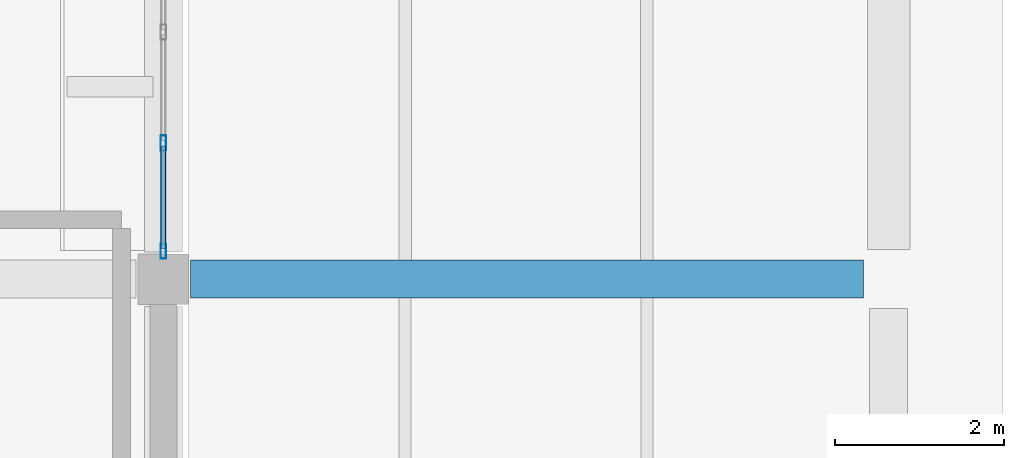
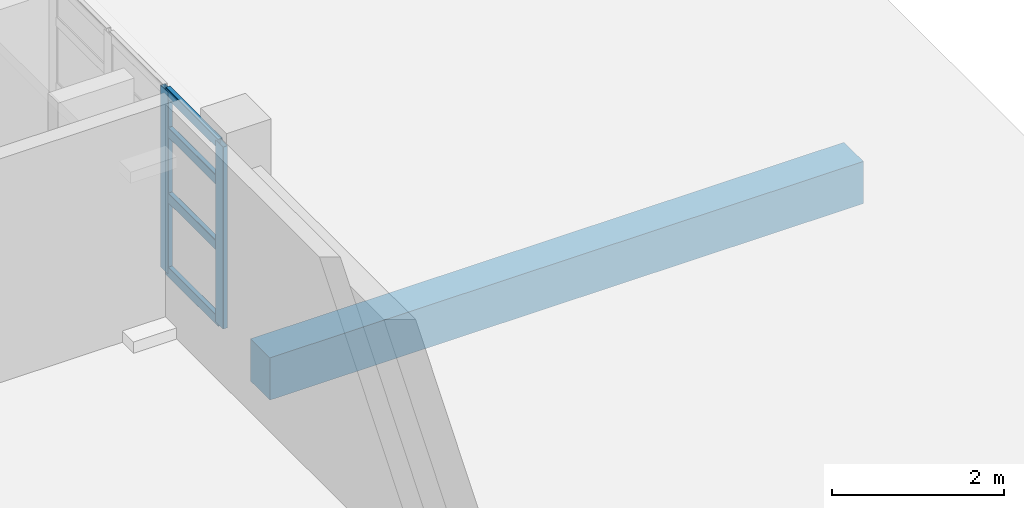
# One storey, part 11 of 55: 6 members, 1 beam, 1 element without a shape of its own.
"""IFC4 building model written with IfcOpenShell, lengths in metres."""

from ifc_helpers import new_model, si_unit, direction, frame, origin, origin_2d, place, context, subcontext, project, spatial, rectangle, hollow_rectangle, extrude, material, material_profile, profile_set, type_object, element, aggregate, save


model = new_model("IFC4")

# Units and contexts
model_context = context("Model", 3, precision=1e-05, world=origin(), true_north=direction((0.0, 1.0)))
body_context = subcontext(model_context, "Body", "Model", "MODEL_VIEW")
ifc_project = project(units=[si_unit("LENGTHUNIT", "METRE"), si_unit("AREAUNIT", "SQUARE_METRE"), si_unit("VOLUMEUNIT", "CUBIC_METRE"), si_unit("PLANEANGLEUNIT", "RADIAN"), si_unit("MASSUNIT", "GRAM", prefix="KILO")], contexts=[model_context])

# Site, building, storey
site_placement = place(None, origin())
site = spatial("IfcSite", under=ifc_project, at=site_placement, CompositionType="ELEMENT")
building_placement = place(site_placement, origin())
building = spatial("IfcBuilding", under=site, at=building_placement, Name="Varnakota Cinema and Media Centre", CompositionType="ELEMENT")
storey_placement = place(building_placement, frame((0.0, 0.0, 15.60009765625)))
storey = spatial("IfcBuildingStorey", under=building, at=storey_placement, Name="L04", CompositionType="ELEMENT", Elevation=15.60009765625)

# Beam
ifc_material_1 = material(Name="Concrete M35", Category="concrete")
ifc_material_profile_1 = material_profile(ifc_material_1, rectangle(XDim=0.449951171875, YDim=0.60009765625, at=origin_2d()), Name="RCB 450x600")
ifc_profile_set_1 = profile_set([ifc_material_profile_1], Name="Concrete M35")
beam_type = type_object("IfcBeamType", Name="BM-RC-450x600", PredefinedType="BEAM", material=ifc_profile_set_1)
beam_placement = place(storey_placement, frame((26.125, 44.0, -0.550048828125), z_axis=(1.0, 0.0, 0.0), x_axis=(0.0, 1.0, 0.0)))
element("IfcBeam", 1, at=beam_placement, inside=storey, type_object=beam_type, Name="L04 girder D-E/6", PredefinedType="BEAM", context=body_context, shape_type="SweptSolid", body=[
    extrude(rectangle(XDim=0.449951171875, YDim=0.60009765625, at=origin_2d()), origin(), (0.0, 0.0, 1.0), 7.97509765625),
])

# Curtain wall, members
ifc_material_2 = material(Name="Thermally broken anodised aluminium AW-6063", Category="aluminium")
curtain_wall_type = type_object("IfcCurtainWallType", Name="CW-STD-394x258", PredefinedType="USERDEFINED", material=ifc_material_2)
curtain_wall_placement = place(storey_placement, origin())
curtain_wall = element("IfcCurtainWall", 2, at=curtain_wall_placement, inside=storey, type_object=curtain_wall_type, Name="L04 curtain wall CW-L04-V5-E-02-1", ObjectType="UNITISED CURTAIN WALL", PredefinedType="USERDEFINED")
ifc_material_3 = material(Name="Thermally broken anodised aluminium AW-6063", Category="aluminium")
ifc_material_profile_2 = material_profile(ifc_material_3, hollow_rectangle(XDim=0.06494140625, YDim=0.179931640625, WallThickness=0.00390625, InnerFilletRadius=0.00390625, OuterFilletRadius=0.008056640625, at=origin_2d()), Name="AL-MULLION 180x65x4")
ifc_profile_set_2 = profile_set([ifc_material_profile_2], Name="Thermally broken anodised aluminium AW-6063")
member_type_1 = type_object("IfcMemberType", Name="CWM-AL-180", PredefinedType="MULLION", material=ifc_profile_set_2)
member_1_placement = place(storey_placement, frame((25.800048828125, 44.33251953125, 0.0), z_axis=(0.0, 0.0, 1.0), x_axis=(-1.0, 0.0, 0.0)))
member_1 = element("IfcMember", 3, at=member_1_placement, type_object=member_type_1, Name="CW30 mullion 1", PredefinedType="MULLION", context=body_context, shape_type="SweptSolid", body=[
    extrude(hollow_rectangle(XDim=0.06494140625, YDim=0.179931640625, WallThickness=0.00390625, InnerFilletRadius=0.00390625, OuterFilletRadius=0.008056640625, at=origin_2d()), origin(), (0.0, 0.0, 1.0), 2.5849609375),
])
member_2_placement = place(storey_placement, frame((25.800048828125, 45.6142578125, 0.0), z_axis=(0.0, 0.0, 1.0), x_axis=(-1.0, 0.0, 0.0)))
member_2 = element("IfcMember", 4, at=member_2_placement, type_object=member_type_1, Name="CW30 mullion 2", PredefinedType="MULLION", context=body_context, shape_type="SweptSolid", body=[
    extrude(hollow_rectangle(XDim=0.06494140625, YDim=0.179931640625, WallThickness=0.00390625, InnerFilletRadius=0.00390625, OuterFilletRadius=0.008056640625, at=origin_2d()), origin(), (0.0, 0.0, 1.0), 2.5849609375),
])
ifc_material_4 = material(Name="Thermally broken anodised aluminium AW-6063", Category="aluminium")
ifc_material_profile_3 = material_profile(ifc_material_4, hollow_rectangle(XDim=0.06494140625, YDim=0.139892578125, WallThickness=0.00390625, InnerFilletRadius=0.00390625, OuterFilletRadius=0.008056640625, at=origin_2d()), Name="AL-TRANSOM 140x65x4")
ifc_profile_set_3 = profile_set([ifc_material_profile_3], Name="Thermally broken anodised aluminium AW-6063")
member_type_2 = type_object("IfcMemberType", Name="CWT-AL-140", PredefinedType="USERDEFINED", material=ifc_profile_set_3)
member_3_placement = place(storey_placement, frame((25.800048828125, 44.364990234375, 0.032470703125), z_axis=(0.0, 1.0, 0.0), x_axis=(-1.0, 0.0, 0.0)))
member_3 = element("IfcMember", 5, at=member_3_placement, type_object=member_type_2, Name="CW30 transom 1.1", ObjectType="TRANSOM", PredefinedType="USERDEFINED", context=body_context, shape_type="SweptSolid", body=[
    extrude(hollow_rectangle(XDim=0.06494140625, YDim=0.139892578125, WallThickness=0.00390625, InnerFilletRadius=0.00390625, OuterFilletRadius=0.008056640625, at=origin_2d()), origin(), (0.0, 0.0, 1.0), 1.216796875),
])
member_4_placement = place(storey_placement, frame((25.800048828125, 44.364990234375, 1.085693359375), z_axis=(0.0, 1.0, 0.0), x_axis=(-1.0, 0.0, 0.0)))
member_4 = element("IfcMember", 6, at=member_4_placement, type_object=member_type_2, Name="CW30 transom 1.2", ObjectType="TRANSOM", PredefinedType="USERDEFINED", context=body_context, shape_type="SweptSolid", body=[
    extrude(hollow_rectangle(XDim=0.06494140625, YDim=0.139892578125, WallThickness=0.00390625, InnerFilletRadius=0.00390625, OuterFilletRadius=0.008056640625, at=origin_2d()), origin(), (0.0, 0.0, 1.0), 1.216796875),
])
member_5_placement = place(storey_placement, frame((25.800048828125, 44.364990234375, 2.01611328125), z_axis=(0.0, 1.0, 0.0), x_axis=(-1.0, 0.0, 0.0)))
member_5 = element("IfcMember", 7, at=member_5_placement, type_object=member_type_2, Name="CW30 transom 1.3", ObjectType="TRANSOM", PredefinedType="USERDEFINED", context=body_context, shape_type="SweptSolid", body=[
    extrude(hollow_rectangle(XDim=0.06494140625, YDim=0.139892578125, WallThickness=0.00390625, InnerFilletRadius=0.00390625, OuterFilletRadius=0.008056640625, at=origin_2d()), origin(), (0.0, 0.0, 1.0), 1.216796875),
])
member_6_placement = place(storey_placement, frame((25.800048828125, 44.364990234375, 2.552490234375), z_axis=(0.0, 1.0, 0.0), x_axis=(-1.0, 0.0, 0.0)))
member_6 = element("IfcMember", 8, at=member_6_placement, type_object=member_type_2, Name="CW30 transom 1.4", ObjectType="TRANSOM", PredefinedType="USERDEFINED", context=body_context, shape_type="SweptSolid", body=[
    extrude(hollow_rectangle(XDim=0.06494140625, YDim=0.139892578125, WallThickness=0.00390625, InnerFilletRadius=0.00390625, OuterFilletRadius=0.008056640625, at=origin_2d()), origin(), (0.0, 0.0, 1.0), 1.216796875),
])
aggregate(curtain_wall, [member_1, member_2, member_3, member_4, member_5, member_6])

save(model, "model.ifc")
